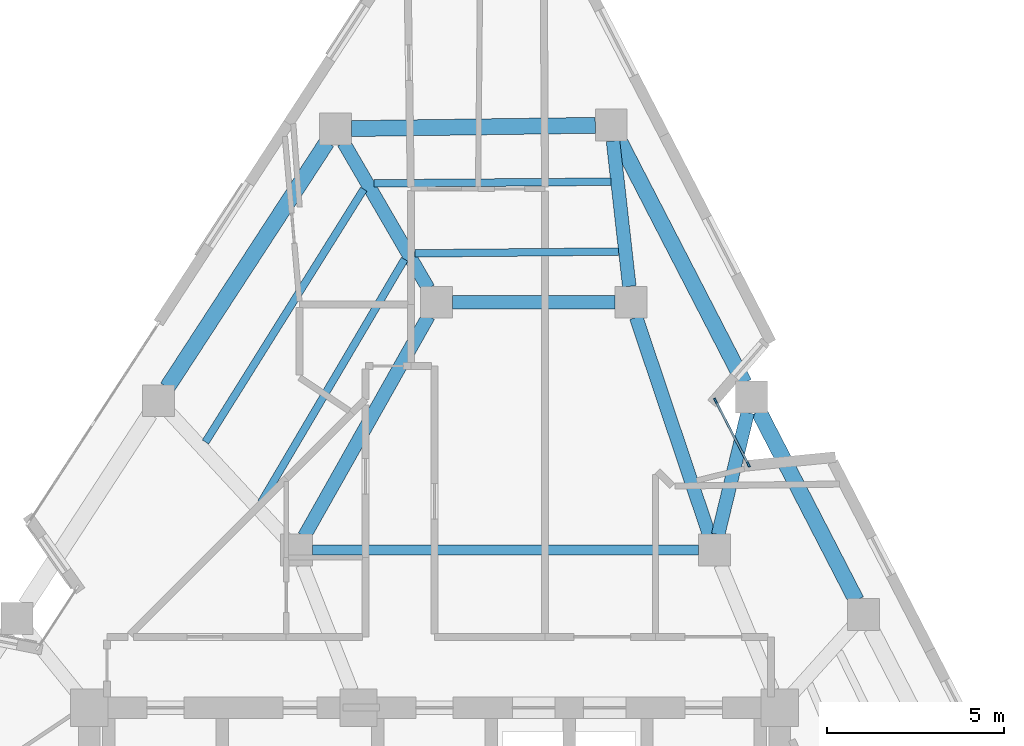
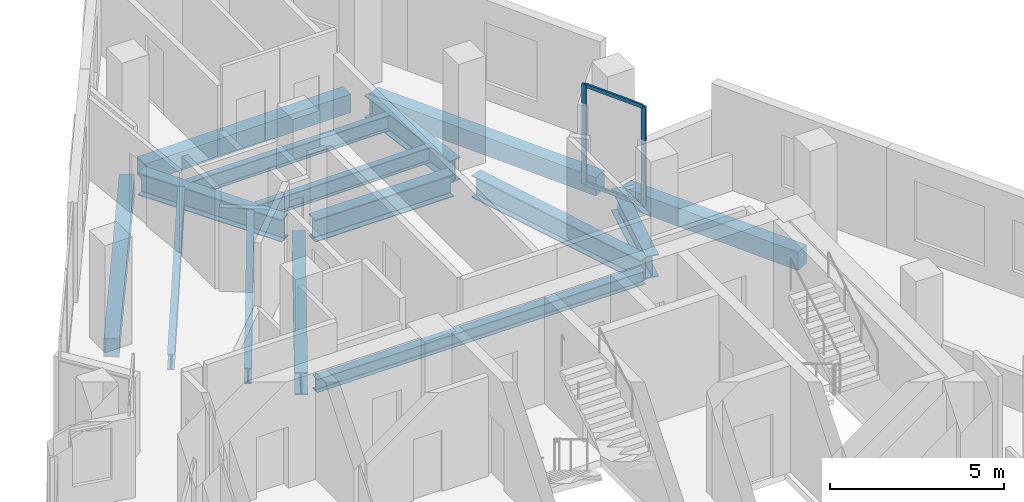
# One storey, part 3 of 9: 15 beams, 4 members, 1 element without a shape of its own.
"""IFC4 building model written with IfcOpenShell, lengths in metres."""

from ifc_helpers import new_model, si_unit, direction, frame, origin, origin_2d, place, context, subcontext, project, spatial, rectangle, i_section, extrude, material, layer, layer_set, material_profile, profile_set, type_object, element, aggregate, save


model = new_model("IFC4")

# Units and contexts
model_context = context("Model", 3, precision=1e-05, world=origin(), true_north=direction((0.0, 1.0)))
body_context = subcontext(model_context, "Body", "Model", "MODEL_VIEW")
ifc_project = project(units=[si_unit("LENGTHUNIT", "METRE"), si_unit("AREAUNIT", "SQUARE_METRE"), si_unit("VOLUMEUNIT", "CUBIC_METRE"), si_unit("PLANEANGLEUNIT", "RADIAN"), si_unit("MASSUNIT", "GRAM", prefix="KILO")], contexts=[model_context])

# Site, building, storey
site_placement = place(None, origin())
site = spatial("IfcSite", under=ifc_project, at=site_placement, CompositionType="ELEMENT")
building_placement = place(site_placement, origin())
building = spatial("IfcBuilding", under=site, at=building_placement, Name="Almagre Mirador Tower", CompositionType="ELEMENT")
storey_placement = place(building_placement, frame((0.0, 0.0, 225.75)))
storey = spatial("IfcBuildingStorey", under=building, at=storey_placement, Name="L58", CompositionType="ELEMENT", Elevation=225.75)

# Beams
ifc_material_1 = material(Name="Steel ASTM A992 Grade 50", Category="steel")
ifc_material_profile_1 = material_profile(ifc_material_1, i_section(OverallWidth=0.281982421875, OverallDepth=0.467041015625, WebThickness=0.01220703125, FlangeThickness=0.01953125, FilletRadius=0.01611328125, at=origin_2d()), Name="W18X86")
ifc_profile_set_1 = profile_set([ifc_material_profile_1], Name="Steel ASTM A992 Grade 50")
beam_type_1 = type_object("IfcBeamType", Name="BM-BAL-W18X86", PredefinedType="JOIST", material=ifc_profile_set_1)
beam_1_placement = place(storey_placement, frame((33.85009765625, 19.199951171875, -0.4833984375), z_axis=(1.0, 0.0, 0.0), x_axis=(0.0, 1.0, 0.0)))
element("IfcBeam", 1, at=beam_1_placement, inside=storey, type_object=beam_type_1, Name="L58 secondary header beam BB-01", PredefinedType="JOIST", context=body_context, shape_type="SweptSolid", body=[
    extrude(i_section(OverallWidth=0.281982421875, OverallDepth=0.467041015625, WebThickness=0.01220703125, FlangeThickness=0.01953125, FilletRadius=0.01611328125, at=origin_2d()), origin(), (0.0, 0.0, 1.0), 10.89990234375),
])
ifc_material_2 = material(Name="Steel ASTM A992 Grade 50", Category="steel")
ifc_material_profile_2 = material_profile(ifc_material_2, i_section(OverallWidth=0.214111328125, OverallDepth=0.549072265625, WebThickness=0.0146484375, FlangeThickness=0.023681640625, FilletRadius=0.01806640625, at=origin_2d()), Name="W21X93")
ifc_profile_set_2 = profile_set([ifc_material_profile_2], Name="Steel ASTM A992 Grade 50")
beam_type_2 = type_object("IfcBeamType", Name="BM-JST-W21X93", PredefinedType="JOIST", material=ifc_profile_set_2)
beam_2_placement = place(storey_placement, frame((42.276123046875, 29.603271484375, -0.5244140625), z_axis=(-0.999974882537, -0.007087615623, 0.0), x_axis=(0.007087615623, -0.999974882537, 0.0)))
element("IfcBeam", 2, at=beam_2_placement, inside=storey, type_object=beam_type_2, Name="L58 secondary floor joist PC08-PC09.1", PredefinedType="JOIST", context=body_context, shape_type="SweptSolid", body=[
    extrude(i_section(OverallWidth=0.214111328125, OverallDepth=0.549072265625, WebThickness=0.0146484375, FlangeThickness=0.023681640625, FilletRadius=0.01806640625, at=origin_2d()), origin(), (0.0, 0.0, 1.0), 6.6826171875),
])
beam_3_placement = place(storey_placement, frame((42.497314453125, 27.63134765625, -0.5244140625), z_axis=(-0.999959183472, -0.009035009166, 0.0), x_axis=(0.009035009166, -0.999959183472, 0.0)))
element("IfcBeam", 3, at=beam_3_placement, inside=storey, type_object=beam_type_2, Name="L58 secondary floor joist PC08-PC09.3", PredefinedType="JOIST", context=body_context, shape_type="SweptSolid", body=[
    extrude(i_section(OverallWidth=0.214111328125, OverallDepth=0.549072265625, WebThickness=0.0146484375, FlangeThickness=0.023681640625, FilletRadius=0.01806640625, at=origin_2d()), origin(), (0.0, 0.0, 1.0), 5.755615234375),
])
beam_4_placement = place(storey_placement, frame((35.2998046875, 29.391845703125, -0.5244140625), z_axis=(-0.530491384924, -0.847690327019, 0.0), x_axis=(0.847690327019, -0.530491384924, 0.0)))
element("IfcBeam", 4, at=beam_4_placement, inside=storey, type_object=beam_type_2, Name="L58 secondary floor joist PC09-PC10.1", PredefinedType="JOIST", context=body_context, shape_type="SweptSolid", body=[
    extrude(i_section(OverallWidth=0.214111328125, OverallDepth=0.549072265625, WebThickness=0.0146484375, FlangeThickness=0.023681640625, FilletRadius=0.01806640625, at=origin_2d()), origin(), (0.0, 0.0, 1.0), 8.421142578125),
])
beam_5_placement = place(storey_placement, frame((36.452392578125, 27.412109375, -0.5244140625), z_axis=(-0.508060215772, -0.861321552702, 0.0), x_axis=(0.861321552702, -0.508060215772, 0.0)))
element("IfcBeam", 5, at=beam_5_placement, inside=storey, type_object=beam_type_2, Name="L58 secondary floor joist PC09-PC10.3", PredefinedType="JOIST", context=body_context, shape_type="SweptSolid", body=[
    extrude(i_section(OverallWidth=0.214111328125, OverallDepth=0.549072265625, WebThickness=0.0146484375, FlangeThickness=0.023681640625, FilletRadius=0.01806640625, at=origin_2d()), origin(), (0.0, 0.0, 1.0), 7.9677734375),
])
ifc_material_3 = material(Name="Precast concrete C50/60", Category="concrete")
ifc_material_profile_3 = material_profile(ifc_material_3, rectangle(XDim=0.449951171875, YDim=0.64990234375, at=origin_2d()), Name="RC450X650")
ifc_profile_set_3 = profile_set([ifc_material_profile_3], Name="Precast concrete C50/60")
beam_type_3 = type_object("IfcBeamType", Name="BM-SPN-RC450X650", PredefinedType="SPANDREL", material=ifc_profile_set_3)
beam_6_placement = place(storey_placement, frame((49.210693359375, 17.778076171875, -0.574951171875), z_axis=(-0.458304670179, 0.888795155979, 0.0), x_axis=(-0.888795155979, -0.458304670179, 0.0)))
element("IfcBeam", 6, at=beam_6_placement, inside=storey, type_object=beam_type_3, Name="L58 perimeter spandrel beam PC06-PC07", PredefinedType="SPANDREL", context=body_context, shape_type="SweptSolid", body=[
    extrude(rectangle(XDim=0.449951171875, YDim=0.64990234375, at=origin_2d()), origin(), (0.0, 0.0, 1.0), 6.0126953125),
])
beam_7_placement = place(storey_placement, frame((46.042724609375, 23.922119140625, -0.574951171875), z_axis=(-0.45830626259, 0.888794334855, 0.0), x_axis=(-0.888794334855, -0.45830626259, 0.0)))
element("IfcBeam", 7, at=beam_7_placement, inside=storey, type_object=beam_type_3, Name="L58 perimeter spandrel beam PC07-PC08", PredefinedType="SPANDREL", context=body_context, shape_type="SweptSolid", body=[
    extrude(rectangle(XDim=0.449951171875, YDim=0.64990234375, at=origin_2d()), origin(), (0.0, 0.0, 1.0), 7.74072265625),
])
beam_8_placement = place(storey_placement, frame((41.839111328125, 31.19580078125, -0.574951171875), z_axis=(-0.999909177083, -0.013477298879, 0.0), x_axis=(0.013477298879, -0.999909177083, 0.0)))
element("IfcBeam", 8, at=beam_8_placement, inside=storey, type_object=beam_type_3, Name="L58 perimeter spandrel beam PC08-PC09", PredefinedType="SPANDREL", context=body_context, shape_type="SweptSolid", body=[
    extrude(rectangle(XDim=0.449951171875, YDim=0.64990234375, at=origin_2d()), origin(), (0.0, 0.0, 1.0), 6.8837890625),
])
beam_9_placement = place(storey_placement, frame((34.260498046875, 30.719970703125, -0.574951171875), z_axis=(-0.545607073801, -0.838041121317, 0.0), x_axis=(0.838041121317, -0.545607073801, 0.0)))
element("IfcBeam", 9, at=beam_9_placement, inside=storey, type_object=beam_type_3, Name="L58 perimeter spandrel beam PC09-PC10", PredefinedType="SPANDREL", context=body_context, shape_type="SweptSolid", body=[
    extrude(rectangle(XDim=0.449951171875, YDim=0.64990234375, at=origin_2d()), origin(), (0.0, 0.0, 1.0), 8.26416015625),
])
ifc_material_4 = material(Name="Steel ASTM A992 Grade 50", Category="steel")
ifc_material_profile_4 = material_profile(ifc_material_4, i_section(OverallWidth=0.384033203125, OverallDepth=0.784912109375, WebThickness=0.019775390625, FlangeThickness=0.033447265625, FilletRadius=0.02392578125, at=origin_2d()), Name="W30X211")
ifc_profile_set_4 = profile_set([ifc_material_profile_4], Name="Steel ASTM A992 Grade 50")
beam_type_4 = type_object("IfcBeamType", Name="BM-STL-W30X211", PredefinedType="BEAM", material=ifc_profile_set_4)
beam_10_placement = place(storey_placement, frame((37.800048828125, 26.199951171875, -0.642578125), z_axis=(1.0, 0.0, 0.0), x_axis=(0.0, 1.0, 0.0)))
element("IfcBeam", 10, at=beam_10_placement, inside=storey, type_object=beam_type_4, Name="L58 core tie girder MC7-MC6", PredefinedType="BEAM", context=body_context, shape_type="SweptSolid", body=[
    extrude(i_section(OverallWidth=0.384033203125, OverallDepth=0.784912109375, WebThickness=0.019775390625, FlangeThickness=0.033447265625, FilletRadius=0.02392578125, at=origin_2d()), origin(), (0.0, 0.0, 1.0), 4.599853515625),
])
beam_11_placement = place(storey_placement, frame((42.9931640625, 25.7734375, -0.642578125), z_axis=(0.318282890726, -0.947995781357, 0.0), x_axis=(0.947995781357, 0.318282890726, 0.0)))
element("IfcBeam", 11, at=beam_11_placement, inside=storey, type_object=beam_type_4, Name="L58 core tie girder MC6-MC5", PredefinedType="BEAM", context=body_context, shape_type="SweptSolid", body=[
    extrude(i_section(OverallWidth=0.384033203125, OverallDepth=0.784912109375, WebThickness=0.019775390625, FlangeThickness=0.033447265625, FilletRadius=0.02392578125, at=origin_2d()), origin(), (0.0, 0.0, 1.0), 6.48388671875),
])
beam_12_placement = place(storey_placement, frame((37.12890625, 25.80810546875, -0.642578125), z_axis=(-0.491446261843, -0.870907900825, 0.0), x_axis=(0.870907900825, -0.491446261843, 0.0)))
element("IfcBeam", 12, at=beam_12_placement, inside=storey, type_object=beam_type_4, Name="L58 core tie girder MC7-MC8", PredefinedType="BEAM", context=body_context, shape_type="SweptSolid", body=[
    extrude(i_section(OverallWidth=0.384033203125, OverallDepth=0.784912109375, WebThickness=0.019775390625, FlangeThickness=0.033447265625, FilletRadius=0.02392578125, at=origin_2d()), origin(), (0.0, 0.0, 1.0), 7.1376953125),
])
beam_13_placement = place(storey_placement, frame((46.142822265625, 23.084716796875, -0.642578125), z_axis=(-0.235842287006, -0.971791343684, 0.0), x_axis=(0.971791343684, -0.235842287006, 0.0)))
element("IfcBeam", 13, at=beam_13_placement, inside=storey, type_object=beam_type_4, Name="L58 radial floor girder PC07-MC5", PredefinedType="BEAM", context=body_context, shape_type="SweptSolid", body=[
    extrude(i_section(OverallWidth=0.384033203125, OverallDepth=0.784912109375, WebThickness=0.019775390625, FlangeThickness=0.033447265625, FilletRadius=0.02392578125, at=origin_2d()), origin(), (0.0, 0.0, 1.0), 3.547607421875),
])
beam_14_placement = place(storey_placement, frame((42.339111328125, 30.7548828125, -0.642578125), z_axis=(0.111455741765, -0.993769398617, 0.0), x_axis=(0.993769398617, 0.111455741765, 0.0)))
element("IfcBeam", 14, at=beam_14_placement, inside=storey, type_object=beam_type_4, Name="L58 radial floor girder PC08-MC6", PredefinedType="BEAM", context=body_context, shape_type="SweptSolid", body=[
    extrude(i_section(OverallWidth=0.384033203125, OverallDepth=0.784912109375, WebThickness=0.019775390625, FlangeThickness=0.033447265625, FilletRadius=0.02392578125, at=origin_2d()), origin(), (0.0, 0.0, 1.0), 4.13330078125),
])
beam_15_placement = place(storey_placement, frame((34.73193359375, 30.7080078125, -0.642578125), z_axis=(0.502209707608, -0.864745864161, 0.0), x_axis=(0.864745864161, 0.502209707608, 0.0)))
element("IfcBeam", 15, at=beam_15_placement, inside=storey, type_object=beam_type_4, Name="L58 radial floor girder PC09-MC7", PredefinedType="BEAM", context=body_context, shape_type="SweptSolid", body=[
    extrude(i_section(OverallWidth=0.384033203125, OverallDepth=0.784912109375, WebThickness=0.019775390625, FlangeThickness=0.033447265625, FilletRadius=0.02392578125, at=origin_2d()), origin(), (0.0, 0.0, 1.0), 4.76318359375),
])

# Curtain wall, members
ifc_material_5 = material(Name="Black anodized aluminium", Category="aluminium")
ifc_layer = layer(ifc_material_5, 0.169921875)
ifc_layer_set = layer_set([ifc_layer], Name="Black anodized aluminium")
curtain_wall_type = type_object("IfcCurtainWallType", Name="CW-CRS-SYS", PredefinedType="NOTDEFINED", material=ifc_layer_set)
curtain_wall_placement = place(storey_placement, origin())
curtain_wall = element("IfcCurtainWall", 16, at=curtain_wall_placement, inside=storey, type_object=curtain_wall_type, Name="L58 vertical crease curtain wall 03", PredefinedType="NOTDEFINED")
ifc_material_6 = material(Name="Black anodized aluminium", Category="aluminium")
ifc_material_profile_5 = material_profile(ifc_material_6, rectangle(XDim=0.06005859375, YDim=0.14990234375, at=origin_2d()), Name="CWM60X150")
ifc_profile_set_5 = profile_set([ifc_material_profile_5], Name="Black anodized aluminium")
member_type_1 = type_object("IfcMemberType", Name="MBR-CWM60X150", PredefinedType="MULLION", material=ifc_profile_set_5)
member_1_placement = place(storey_placement, frame((45.232666015625, 23.42041015625, 0.0), z_axis=(0.0, 0.0, 1.0), x_axis=(0.888809256499, 0.458277323858, 0.0)))
member_1 = element("IfcMember", 17, at=member_1_placement, type_object=member_type_1, Name="CW-4 mullion 1", PredefinedType="MULLION", context=body_context, shape_type="SweptSolid", body=[
    extrude(rectangle(XDim=0.06005859375, YDim=0.14990234375, at=origin_2d()), origin(), (0.0, 0.0, 1.0), 3.5),
])
member_2_placement = place(storey_placement, frame((46.163330078125, 21.61572265625, 0.0), z_axis=(0.0, 0.0, 1.0), x_axis=(0.888809256499, 0.458277323858, 0.0)))
member_2 = element("IfcMember", 18, at=member_2_placement, type_object=member_type_1, Name="CW-4 mullion 2", PredefinedType="MULLION", context=body_context, shape_type="SweptSolid", body=[
    extrude(rectangle(XDim=0.06005859375, YDim=0.14990234375, at=origin_2d()), origin(), (0.0, 0.0, 1.0), 3.5),
])
ifc_material_7 = material(Name="Black anodized aluminium", Category="aluminium")
ifc_material_profile_6 = material_profile(ifc_material_7, rectangle(XDim=0.06005859375, YDim=0.1298828125, at=origin_2d()), Name="CWT60X130")
ifc_profile_set_6 = profile_set([ifc_material_profile_6], Name="Black anodized aluminium")
member_type_2 = type_object("IfcMemberType", Name="MBR-CWT60X130", PredefinedType="USERDEFINED", material=ifc_profile_set_6)
member_3_placement = place(storey_placement, frame((45.24658203125, 23.3935546875, 0.030029296875), z_axis=(0.458232540668, -0.88883234565, 0.0), x_axis=(0.88883234565, 0.458232540668, 0.0)))
member_3 = element("IfcMember", 19, at=member_3_placement, type_object=member_type_2, Name="CW-4 transom 1.1", ObjectType="TRANSOM", PredefinedType="USERDEFINED", context=body_context, shape_type="SweptSolid", body=[
    extrude(rectangle(XDim=0.06005859375, YDim=0.1298828125, at=origin_2d()), origin(), (0.0, 0.0, 1.0), 1.97021484375),
])
member_4_placement = place(storey_placement, frame((45.24658203125, 23.3935546875, 3.469970703125), z_axis=(0.458232540668, -0.88883234565, 0.0), x_axis=(0.88883234565, 0.458232540668, 0.0)))
member_4 = element("IfcMember", 20, at=member_4_placement, type_object=member_type_2, Name="CW-4 transom 1.2", ObjectType="TRANSOM", PredefinedType="USERDEFINED", context=body_context, shape_type="SweptSolid", body=[
    extrude(rectangle(XDim=0.06005859375, YDim=0.1298828125, at=origin_2d()), origin(), (0.0, 0.0, 1.0), 1.97021484375),
])
aggregate(curtain_wall, [member_1, member_2, member_3, member_4])

save(model, "model.ifc")
